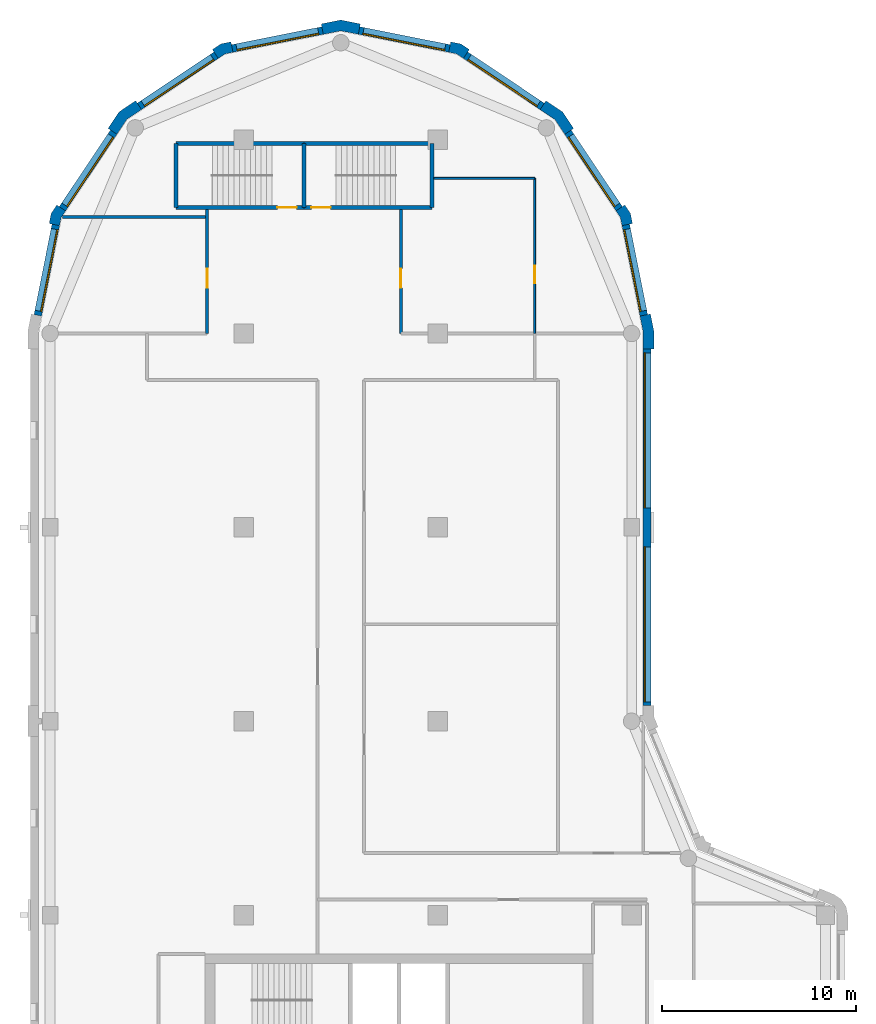
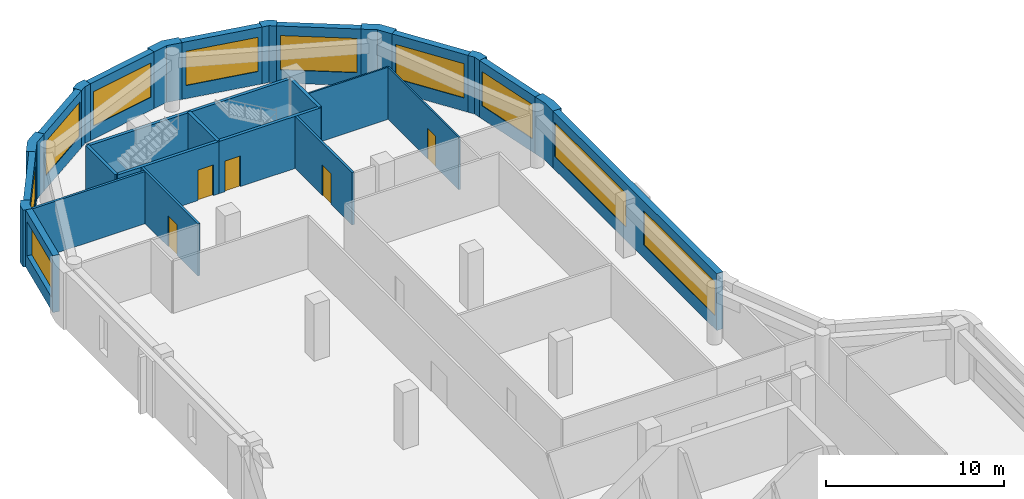
# One storey, part 5 of 8: 29 walls, 10 windows, 5 doors, 15 openings.
"""IFC4 building model written with IfcOpenShell, lengths in metres."""

from ifc_helpers import new_model, si_unit, direction, frame, frame_2d, origin, place, context, subcontext, project, spatial, polyline, rectangle, outline, extrude, material, layer, layer_set, type_object, element, fill, save


model = new_model("IFC4")

# Units and contexts
model_context = context("Model", 3, precision=1e-05, world=origin(), true_north=direction((0.0, 1.0)))
body_context = subcontext(model_context, "Body", "Model", "MODEL_VIEW")
ifc_project = project(units=[si_unit("LENGTHUNIT", "METRE"), si_unit("AREAUNIT", "SQUARE_METRE"), si_unit("VOLUMEUNIT", "CUBIC_METRE"), si_unit("PLANEANGLEUNIT", "RADIAN"), si_unit("MASSUNIT", "GRAM", prefix="KILO")], contexts=[model_context])

# Site, building, storey
site_placement = place(None, origin())
site = spatial("IfcSite", under=ifc_project, at=site_placement, CompositionType="ELEMENT")
building_placement = place(site_placement, origin())
building = spatial("IfcBuilding", under=site, at=building_placement, Name="Qaws Garden Tower", CompositionType="ELEMENT")
storey_placement = place(building_placement, frame((0.0, 0.0, 341.10009765625)))
storey = spatial("IfcBuildingStorey", under=building, at=storey_placement, Name="L83", CompositionType="ELEMENT", Elevation=341.10009765625)

# Wall, openings, windows
ifc_material_1 = material(Name="Clay facing brick masonry", Category="masonry")
ifc_layer_1 = layer(ifc_material_1, 0.39990234375)
ifc_layer_set_1 = layer_set([ifc_layer_1], Name="Clay facing brick masonry")
wall_type_1 = type_object("IfcWallType", Name="Brick infill wall 400", PredefinedType="SOLIDWALL", material=ifc_layer_set_1)
wall_1_placement = place(storey_placement, frame((30.800048828125, 40.800048828125, 0.0), z_axis=(0.0, 0.0, 1.0), x_axis=(0.0, 1.0, 0.0)))
wall_1 = element("IfcWall", 1, at=wall_1_placement, inside=storey, type_object=wall_type_1, Name="E-L83-infill-07", PredefinedType="SOLIDWALL", context=body_context, shape_type="SweptSolid", body=[
    extrude(rectangle(XDim=18.39990234375, YDim=0.39990234375, at=frame_2d((9.199951171875, 0.0))), origin(), (0.0, 0.0, 1.0), 3.89990234375),
])
opening_1_placement = place(wall_1_placement, frame((0.199951171875, 0.0, 0.89990234375)))
opening_1 = element("IfcOpeningElement", 2, at=opening_1_placement, cuts=wall_1, Name="Opening W01", PredefinedType="OPENING", context=body_context, shape_type="SweptSolid", body=[
    extrude(rectangle(XDim=8.0, YDim=2.35009765625, at=frame_2d((4.0, 1.175048828125))), frame((0.0, 0.2099609375, 0.0), z_axis=(0.0, -1.0, 0.0), x_axis=(1.0, 0.0, 0.0)), (0.0, 0.0, 1.0), 0.419921875),
])
opening_2_placement = place(wall_1_placement, frame((10.199951171875, 0.0, 0.89990234375)))
opening_2 = element("IfcOpeningElement", 3, at=opening_2_placement, cuts=wall_1, Name="Opening W01", PredefinedType="OPENING", context=body_context, shape_type="SweptSolid", body=[
    extrude(rectangle(XDim=8.0, YDim=2.35009765625, at=frame_2d((4.0, 1.175048828125))), frame((0.0, 0.2099609375, 0.0), z_axis=(0.0, -1.0, 0.0), x_axis=(1.0, 0.0, 0.0)), (0.0, 0.0, 1.0), 0.419921875),
])
ifc_material_2 = material(Name="Aluminium framed window, clear glazing", Category="aluminium")
window_type_1 = type_object("IfcWindowType", Name="Ribbon window 8000 x 2350", PartitioningType="DOUBLE_PANEL_VERTICAL", PredefinedType="WINDOW", material=ifc_material_2)
window_1_placement = place(opening_1_placement, origin())
window_1 = element("IfcWindow", 4, at=window_1_placement, inside=storey, type_object=window_type_1, Name="E-L83-window-07-0", OverallHeight=2.35009765625, OverallWidth=8.0, PartitioningType="SINGLE_PANEL", PredefinedType="WINDOW", context=body_context, shape_type="SweptSolid", body=[
    extrude(rectangle(XDim=8.0, YDim=2.35009765625, at=frame_2d((4.0, 1.175048828125))), frame((0.0, 0.159912109375, 0.0), z_axis=(0.0, -1.0, 0.0), x_axis=(1.0, 0.0, 0.0)), (0.0, 0.0, 1.0), 0.06005859375),
])
fill(opening_1, window_1)
window_2_placement = place(opening_2_placement, origin())
window_2 = element("IfcWindow", 5, at=window_2_placement, inside=storey, type_object=window_type_1, Name="E-L83-window-08-0", OverallHeight=2.35009765625, OverallWidth=8.0, PartitioningType="SINGLE_PANEL", PredefinedType="WINDOW", context=body_context, shape_type="SweptSolid", body=[
    extrude(rectangle(XDim=8.0, YDim=2.35009765625, at=frame_2d((4.0, 1.175048828125))), frame((0.0, 0.159912109375, 0.0), z_axis=(0.0, -1.0, 0.0), x_axis=(1.0, 0.0, 0.0)), (0.0, 0.0, 1.0), 0.06005859375),
])
fill(opening_2, window_2)

# Wall, opening, window
wall_2_placement = place(storey_placement, frame((30.628662109375, 60.940673828125, 0.0), z_axis=(0.0, 0.0, 1.0), x_axis=(-0.195098533057, 0.98078364709, 0.0)))
wall_2 = element("IfcWall", 6, at=wall_2_placement, inside=storey, type_object=wall_type_1, Name="E-L83-infill-09", PredefinedType="SOLIDWALL", context=body_context, shape_type="SweptSolid", body=[
    extrude(rectangle(XDim=4.752685546875, YDim=0.39990234375, at=frame_2d((2.37646484375, 0.0))), origin(), (0.0, 0.0, 1.0), 3.89990234375),
])
opening_3_placement = place(wall_2_placement, frame((0.226318359375, 0.0, 0.89990234375)))
opening_3 = element("IfcOpeningElement", 7, at=opening_3_placement, cuts=wall_2, Name="Opening W06", PredefinedType="OPENING", context=body_context, shape_type="SweptSolid", body=[
    extrude(rectangle(XDim=4.300048828125, YDim=2.35009765625, at=frame_2d((2.14990234375, 1.175048828125))), frame((0.0, 0.2099609375, 0.0), z_axis=(0.0, -1.0, 0.0), x_axis=(1.0, 0.0, 0.0)), (0.0, 0.0, 1.0), 0.419921875),
])
ifc_material_3 = material(Name="Aluminium framed window, clear glazing", Category="aluminium")
window_type_2 = type_object("IfcWindowType", Name="Ribbon window 4300 x 2350", PartitioningType="DOUBLE_PANEL_VERTICAL", PredefinedType="WINDOW", material=ifc_material_3)
window_3_placement = place(opening_3_placement, origin())
window_3 = element("IfcWindow", 8, at=window_3_placement, inside=storey, type_object=window_type_2, Name="E-L83-window-09-0", OverallHeight=2.35009765625, OverallWidth=4.300048828125, PartitioningType="SINGLE_PANEL", PredefinedType="WINDOW", context=body_context, shape_type="SweptSolid", body=[
    extrude(rectangle(XDim=4.300048828125, YDim=2.35009765625, at=frame_2d((2.14990234375, 1.175048828125))), frame((0.0, 0.159912109375, 0.0), z_axis=(0.0, -1.0, 0.0), x_axis=(1.0, 0.0, 0.0)), (0.0, 0.0, 1.0), 0.06005859375),
])
fill(opening_3, window_3)

wall_3_placement = place(storey_placement, frame((29.356689453125, 66.43408203125, 0.0), z_axis=(0.0, 0.0, 1.0), x_axis=(-0.555541552266, 0.831488775454, 0.0)))
wall_3 = element("IfcWall", 9, at=wall_3_placement, inside=storey, type_object=wall_type_1, Name="E-L83-infill-10", PredefinedType="SOLIDWALL", context=body_context, shape_type="SweptSolid", body=[
    extrude(rectangle(XDim=4.752685546875, YDim=0.39990234375, at=frame_2d((2.37646484375, 0.0))), origin(), (0.0, 0.0, 1.0), 3.89990234375),
])
opening_4_placement = place(wall_3_placement, frame((0.226318359375, 0.0, 0.89990234375)))
opening_4 = element("IfcOpeningElement", 10, at=opening_4_placement, cuts=wall_3, Name="Opening W06", PredefinedType="OPENING", context=body_context, shape_type="SweptSolid", body=[
    extrude(rectangle(XDim=4.300048828125, YDim=2.35009765625, at=frame_2d((2.14990234375, 1.175048828125))), frame((0.0, 0.2099609375, 0.0), z_axis=(0.0, -1.0, 0.0), x_axis=(1.0, 0.0, 0.0)), (0.0, 0.0, 1.0), 0.419921875),
])
window_4_placement = place(opening_4_placement, origin())
window_4 = element("IfcWindow", 11, at=window_4_placement, inside=storey, type_object=window_type_2, Name="E-L83-window-10-0", OverallHeight=2.35009765625, OverallWidth=4.300048828125, PartitioningType="SINGLE_PANEL", PredefinedType="WINDOW", context=body_context, shape_type="SweptSolid", body=[
    extrude(rectangle(XDim=4.300048828125, YDim=2.35009765625, at=frame_2d((2.14990234375, 1.175048828125))), frame((0.0, 0.159912109375, 0.0), z_axis=(0.0, -1.0, 0.0), x_axis=(1.0, 0.0, 0.0)), (0.0, 0.0, 1.0), 0.06005859375),
])
fill(opening_4, window_4)

wall_4_placement = place(storey_placement, frame((25.385986328125, 71.71630859375, 0.0), z_axis=(0.0, 0.0, 1.0), x_axis=(-0.831488775454, 0.555541552266, 0.0)))
wall_4 = element("IfcWall", 12, at=wall_4_placement, inside=storey, type_object=wall_type_1, Name="E-L83-infill-11", PredefinedType="SOLIDWALL", context=body_context, shape_type="SweptSolid", body=[
    extrude(rectangle(XDim=4.752685546875, YDim=0.39990234375, at=frame_2d((2.37646484375, 0.0))), origin(), (0.0, 0.0, 1.0), 3.89990234375),
])
opening_5_placement = place(wall_4_placement, frame((0.226318359375, 0.0, 0.89990234375)))
opening_5 = element("IfcOpeningElement", 13, at=opening_5_placement, cuts=wall_4, Name="Opening W06", PredefinedType="OPENING", context=body_context, shape_type="SweptSolid", body=[
    extrude(rectangle(XDim=4.300048828125, YDim=2.35009765625, at=frame_2d((2.14990234375, 1.175048828125))), frame((0.0, 0.2099609375, 0.0), z_axis=(0.0, -1.0, 0.0), x_axis=(1.0, 0.0, 0.0)), (0.0, 0.0, 1.0), 0.419921875),
])
window_5_placement = place(opening_5_placement, origin())
window_5 = element("IfcWindow", 14, at=window_5_placement, inside=storey, type_object=window_type_2, Name="E-L83-window-11-0", OverallHeight=2.35009765625, OverallWidth=4.300048828125, PartitioningType="SINGLE_PANEL", PredefinedType="WINDOW", context=body_context, shape_type="SweptSolid", body=[
    extrude(rectangle(XDim=4.300048828125, YDim=2.35009765625, at=frame_2d((2.14990234375, 1.175048828125))), frame((0.0, 0.159912109375, 0.0), z_axis=(0.0, -1.0, 0.0), x_axis=(1.0, 0.0, 0.0)), (0.0, 0.0, 1.0), 0.06005859375),
])
fill(opening_5, window_5)

wall_5_placement = place(storey_placement, frame((20.60205078125, 74.701416015625, 0.0), z_axis=(0.0, 0.0, 1.0), x_axis=(-0.98078364709, 0.195098533057, 0.0)))
wall_5 = element("IfcWall", 15, at=wall_5_placement, inside=storey, type_object=wall_type_1, Name="E-L83-infill-12", PredefinedType="SOLIDWALL", context=body_context, shape_type="SweptSolid", body=[
    extrude(rectangle(XDim=4.752685546875, YDim=0.39990234375, at=frame_2d((2.37646484375, 0.0))), origin(), (0.0, 0.0, 1.0), 3.89990234375),
])
opening_6_placement = place(wall_5_placement, frame((0.226318359375, 0.0, 0.89990234375)))
opening_6 = element("IfcOpeningElement", 16, at=opening_6_placement, cuts=wall_5, Name="Opening W06", PredefinedType="OPENING", context=body_context, shape_type="SweptSolid", body=[
    extrude(rectangle(XDim=4.300048828125, YDim=2.35009765625, at=frame_2d((2.14990234375, 1.175048828125))), frame((0.0, 0.2099609375, 0.0), z_axis=(0.0, -1.0, 0.0), x_axis=(1.0, 0.0, 0.0)), (0.0, 0.0, 1.0), 0.419921875),
])
window_6_placement = place(opening_6_placement, origin())
window_6 = element("IfcWindow", 17, at=window_6_placement, inside=storey, type_object=window_type_2, Name="E-L83-window-12-0", OverallHeight=2.35009765625, OverallWidth=4.300048828125, PartitioningType="SINGLE_PANEL", PredefinedType="WINDOW", context=body_context, shape_type="SweptSolid", body=[
    extrude(rectangle(XDim=4.300048828125, YDim=2.35009765625, at=frame_2d((2.14990234375, 1.175048828125))), frame((0.0, 0.159912109375, 0.0), z_axis=(0.0, -1.0, 0.0), x_axis=(1.0, 0.0, 0.0)), (0.0, 0.0, 1.0), 0.06005859375),
])
fill(opening_6, window_6)

wall_6_placement = place(storey_placement, frame((14.059326171875, 75.628662109375, 0.0), z_axis=(0.0, 0.0, 1.0), x_axis=(-0.98078364709, -0.195098533057, 0.0)))
wall_6 = element("IfcWall", 18, at=wall_6_placement, inside=storey, type_object=wall_type_1, Name="E-L83-infill-13", PredefinedType="SOLIDWALL", context=body_context, shape_type="SweptSolid", body=[
    extrude(rectangle(XDim=4.752685546875, YDim=0.39990234375, at=frame_2d((2.37646484375, 0.0))), origin(), (0.0, 0.0, 1.0), 3.89990234375),
])
opening_7_placement = place(wall_6_placement, frame((0.226318359375, 0.0, 0.89990234375)))
opening_7 = element("IfcOpeningElement", 19, at=opening_7_placement, cuts=wall_6, Name="Opening W06", PredefinedType="OPENING", context=body_context, shape_type="SweptSolid", body=[
    extrude(rectangle(XDim=4.300048828125, YDim=2.35009765625, at=frame_2d((2.14990234375, 1.175048828125))), frame((0.0, 0.2099609375, 0.0), z_axis=(0.0, -1.0, 0.0), x_axis=(1.0, 0.0, 0.0)), (0.0, 0.0, 1.0), 0.419921875),
])
window_7_placement = place(opening_7_placement, origin())
window_7 = element("IfcWindow", 20, at=window_7_placement, inside=storey, type_object=window_type_2, Name="E-L83-window-13-0", OverallHeight=2.35009765625, OverallWidth=4.300048828125, PartitioningType="SINGLE_PANEL", PredefinedType="WINDOW", context=body_context, shape_type="SweptSolid", body=[
    extrude(rectangle(XDim=4.300048828125, YDim=2.35009765625, at=frame_2d((2.14990234375, 1.175048828125))), frame((0.0, 0.159912109375, 0.0), z_axis=(0.0, -1.0, 0.0), x_axis=(1.0, 0.0, 0.0)), (0.0, 0.0, 1.0), 0.06005859375),
])
fill(opening_7, window_7)

wall_7_placement = place(storey_placement, frame((8.56591796875, 74.356689453125, 0.0), z_axis=(0.0, 0.0, 1.0), x_axis=(-0.831488775454, -0.555541552266, 0.0)))
wall_7 = element("IfcWall", 21, at=wall_7_placement, inside=storey, type_object=wall_type_1, Name="E-L83-infill-14", PredefinedType="SOLIDWALL", context=body_context, shape_type="SweptSolid", body=[
    extrude(rectangle(XDim=4.752685546875, YDim=0.39990234375, at=frame_2d((2.37646484375, 0.0))), origin(), (0.0, 0.0, 1.0), 3.89990234375),
])
opening_8_placement = place(wall_7_placement, frame((0.226318359375, 0.0, 0.89990234375)))
opening_8 = element("IfcOpeningElement", 22, at=opening_8_placement, cuts=wall_7, Name="Opening W06", PredefinedType="OPENING", context=body_context, shape_type="SweptSolid", body=[
    extrude(rectangle(XDim=4.300048828125, YDim=2.35009765625, at=frame_2d((2.14990234375, 1.175048828125))), frame((0.0, 0.2099609375, 0.0), z_axis=(0.0, -1.0, 0.0), x_axis=(1.0, 0.0, 0.0)), (0.0, 0.0, 1.0), 0.419921875),
])
window_8_placement = place(opening_8_placement, origin())
window_8 = element("IfcWindow", 23, at=window_8_placement, inside=storey, type_object=window_type_2, Name="E-L83-window-14-0", OverallHeight=2.35009765625, OverallWidth=4.300048828125, PartitioningType="SINGLE_PANEL", PredefinedType="WINDOW", context=body_context, shape_type="SweptSolid", body=[
    extrude(rectangle(XDim=4.300048828125, YDim=2.35009765625, at=frame_2d((2.14990234375, 1.175048828125))), frame((0.0, 0.159912109375, 0.0), z_axis=(0.0, -1.0, 0.0), x_axis=(1.0, 0.0, 0.0)), (0.0, 0.0, 1.0), 0.06005859375),
])
fill(opening_8, window_8)

wall_8_placement = place(storey_placement, frame((3.28369140625, 70.385986328125, 0.0), z_axis=(0.0, 0.0, 1.0), x_axis=(-0.555541552266, -0.831488775454, 0.0)))
wall_8 = element("IfcWall", 24, at=wall_8_placement, inside=storey, type_object=wall_type_1, Name="E-L83-infill-15", PredefinedType="SOLIDWALL", context=body_context, shape_type="SweptSolid", body=[
    extrude(rectangle(XDim=4.752685546875, YDim=0.39990234375, at=frame_2d((2.37646484375, 0.0))), origin(), (0.0, 0.0, 1.0), 3.89990234375),
])
opening_9_placement = place(wall_8_placement, frame((0.226318359375, 0.0, 0.89990234375)))
opening_9 = element("IfcOpeningElement", 25, at=opening_9_placement, cuts=wall_8, Name="Opening W06", PredefinedType="OPENING", context=body_context, shape_type="SweptSolid", body=[
    extrude(rectangle(XDim=4.300048828125, YDim=2.35009765625, at=frame_2d((2.14990234375, 1.175048828125))), frame((0.0, 0.2099609375, 0.0), z_axis=(0.0, -1.0, 0.0), x_axis=(1.0, 0.0, 0.0)), (0.0, 0.0, 1.0), 0.419921875),
])
window_9_placement = place(opening_9_placement, origin())
window_9 = element("IfcWindow", 26, at=window_9_placement, inside=storey, type_object=window_type_2, Name="E-L83-window-15-0", OverallHeight=2.35009765625, OverallWidth=4.300048828125, PartitioningType="SINGLE_PANEL", PredefinedType="WINDOW", context=body_context, shape_type="SweptSolid", body=[
    extrude(rectangle(XDim=4.300048828125, YDim=2.35009765625, at=frame_2d((2.14990234375, 1.175048828125))), frame((0.0, 0.159912109375, 0.0), z_axis=(0.0, -1.0, 0.0), x_axis=(1.0, 0.0, 0.0)), (0.0, 0.0, 1.0), 0.06005859375),
])
fill(opening_9, window_9)

wall_9_placement = place(storey_placement, frame((0.298583984375, 65.60205078125, 0.0), z_axis=(0.0, 0.0, 1.0), x_axis=(-0.195098533057, -0.98078364709, 0.0)))
wall_9 = element("IfcWall", 27, at=wall_9_placement, inside=storey, type_object=wall_type_1, Name="E-L83-infill-16", PredefinedType="SOLIDWALL", context=body_context, shape_type="SweptSolid", body=[
    extrude(rectangle(XDim=4.752685546875, YDim=0.39990234375, at=frame_2d((2.37646484375, 0.0))), origin(), (0.0, 0.0, 1.0), 3.89990234375),
])
opening_10_placement = place(wall_9_placement, frame((0.226318359375, 0.0, 0.89990234375)))
opening_10 = element("IfcOpeningElement", 28, at=opening_10_placement, cuts=wall_9, Name="Opening W06", PredefinedType="OPENING", context=body_context, shape_type="SweptSolid", body=[
    extrude(rectangle(XDim=4.300048828125, YDim=2.35009765625, at=frame_2d((2.14990234375, 1.175048828125))), frame((0.0, 0.2099609375, 0.0), z_axis=(0.0, -1.0, 0.0), x_axis=(1.0, 0.0, 0.0)), (0.0, 0.0, 1.0), 0.419921875),
])
window_10_placement = place(opening_10_placement, origin())
window_10 = element("IfcWindow", 29, at=window_10_placement, inside=storey, type_object=window_type_2, Name="E-L83-window-16-0", OverallHeight=2.35009765625, OverallWidth=4.300048828125, PartitioningType="SINGLE_PANEL", PredefinedType="WINDOW", context=body_context, shape_type="SweptSolid", body=[
    extrude(rectangle(XDim=4.300048828125, YDim=2.35009765625, at=frame_2d((2.14990234375, 1.175048828125))), frame((0.0, 0.159912109375, 0.0), z_axis=(0.0, -1.0, 0.0), x_axis=(1.0, 0.0, 0.0)), (0.0, 0.0, 1.0), 0.06005859375),
])
fill(opening_10, window_10)

# Walls
ifc_material_4 = material(Name="Clay facing brick masonry", Category="masonry")
ifc_layer_2 = layer(ifc_material_4, 0.550048828125)
ifc_layer_set_2 = layer_set([ifc_layer_2], Name="Clay facing brick masonry")
wall_type_2 = type_object("IfcWallType", Name="Brick kink pier 550 x 600", PredefinedType="SOLIDWALL", material=ifc_layer_set_2)
placement = place(storey_placement, origin())
element("IfcWall", 30, at=placement, inside=storey, type_object=wall_type_2, Name="E-L83-pier-10", PredefinedType="SOLIDWALL", context=body_context, shape_type="SweptSolid", body=[
    extrude(outline(polyline([(29.8974609375, 65.64111328125), (30.044677734375, 65.67041015625), (29.94140625, 66.18896484375), (29.647705078125, 66.628662109375), (29.52294921875, 66.545166015625), (29.1904296875, 66.322998046875), (29.42333984375, 65.974365234375), (29.505126953125, 65.56298828125), (29.8974609375, 65.64111328125)])), origin(), (0.0, 0.0, 1.0), 3.89990234375),
])
element("IfcWall", 31, at=placement, inside=storey, type_object=wall_type_2, Name="E-L83-pier-12", PredefinedType="SOLIDWALL", context=body_context, shape_type="SweptSolid", body=[
    extrude(outline(polyline([(21.545166015625, 74.52294921875), (21.628662109375, 74.647705078125), (21.18896484375, 74.94140625), (20.67041015625, 75.044677734375), (20.64111328125, 74.8974609375), (20.56298828125, 74.505126953125), (20.974365234375, 74.42333984375), (21.322998046875, 74.1904296875), (21.545166015625, 74.52294921875)])), origin(), (0.0, 0.0, 1.0), 3.89990234375),
])
element("IfcWall", 32, at=placement, inside=storey, type_object=wall_type_2, Name="E-L83-pier-14", PredefinedType="SOLIDWALL", context=body_context, shape_type="SweptSolid", body=[
    extrude(outline(polyline([(9.35888671875, 74.8974609375), (9.32958984375, 75.044677734375), (8.81103515625, 74.94140625), (8.371337890625, 74.647705078125), (8.454833984375, 74.52294921875), (8.677001953125, 74.1904296875), (9.025634765625, 74.42333984375), (9.43701171875, 74.505126953125), (9.35888671875, 74.8974609375)])), origin(), (0.0, 0.0, 1.0), 3.89990234375),
])
element("IfcWall", 33, at=placement, inside=storey, type_object=wall_type_2, Name="E-L83-pier-16", PredefinedType="SOLIDWALL", context=body_context, shape_type="SweptSolid", body=[
    extrude(outline(polyline([(0.47705078125, 66.545166015625), (0.352294921875, 66.628662109375), (0.05859375, 66.18896484375), (-0.044677734375, 65.67041015625), (0.1025390625, 65.64111328125), (0.494873046875, 65.56298828125), (0.57666015625, 65.974365234375), (0.8095703125, 66.322998046875), (0.47705078125, 66.545166015625)])), origin(), (0.0, 0.0, 1.0), 3.89990234375),
])
ifc_material_5 = material(Name="Clay facing brick masonry", Category="masonry")
ifc_layer_3 = layer(ifc_material_5, 0.550048828125)
ifc_layer_set_3 = layer_set([ifc_layer_3], Name="Clay facing brick masonry")
wall_type_3 = type_object("IfcWallType", Name="Brick pier 550 x 1600", PredefinedType="SOLIDWALL", material=ifc_layer_set_3)
element("IfcWall", 34, at=placement, inside=storey, type_object=wall_type_3, Name="E-L83-pier-09", PredefinedType="SOLIDWALL", context=body_context, shape_type="SweptSolid", body=[
    extrude(outline(polyline([(31.0, 59.199951171875), (31.14990234375, 59.199951171875), (31.14990234375, 60.11328125), (30.971923828125, 61.009033203125), (30.82470703125, 60.979736328125), (30.432373046875, 60.901611328125), (30.60009765625, 60.05908203125), (30.60009765625, 59.199951171875), (31.0, 59.199951171875)])), origin(), (0.0, 0.0, 1.0), 3.89990234375),
])
element("IfcWall", 35, at=placement, inside=storey, type_object=wall_type_3, Name="E-L83-pier-11", PredefinedType="SOLIDWALL", context=body_context, shape_type="SweptSolid", body=[
    extrude(outline(polyline([(26.882568359375, 70.4970703125), (27.00732421875, 70.580322265625), (26.435791015625, 71.435791015625), (25.580322265625, 72.00732421875), (25.4970703125, 71.882568359375), (25.274658203125, 71.550048828125), (26.0390625, 71.0390625), (26.550048828125, 70.274658203125), (26.882568359375, 70.4970703125)])), origin(), (0.0, 0.0, 1.0), 3.89990234375),
])
element("IfcWall", 36, at=placement, inside=storey, type_object=wall_type_3, Name="E-L83-pier-13", PredefinedType="SOLIDWALL", context=body_context, shape_type="SweptSolid", body=[
    extrude(outline(polyline([(15.979736328125, 75.82470703125), (16.009033203125, 75.971923828125), (15.0, 76.172607421875), (13.990966796875, 75.971923828125), (14.020263671875, 75.82470703125), (14.098388671875, 75.432373046875), (15.0, 75.61181640625), (15.901611328125, 75.432373046875), (15.979736328125, 75.82470703125)])), origin(), (0.0, 0.0, 1.0), 3.89990234375),
])
element("IfcWall", 37, at=placement, inside=storey, type_object=wall_type_3, Name="E-L83-pier-15", PredefinedType="SOLIDWALL", context=body_context, shape_type="SweptSolid", body=[
    extrude(outline(polyline([(4.5029296875, 71.882568359375), (4.419677734375, 72.00732421875), (3.564208984375, 71.435791015625), (2.99267578125, 70.580322265625), (3.117431640625, 70.4970703125), (3.449951171875, 70.274658203125), (3.9609375, 71.0390625), (4.725341796875, 71.550048828125), (4.5029296875, 71.882568359375)])), origin(), (0.0, 0.0, 1.0), 3.89990234375),
])

# Wall, opening, door
ifc_material_6 = material(Name="Concrete C60", Category="concrete")
ifc_layer_4 = layer(ifc_material_6, 0.199951171875)
ifc_layer_set_4 = layer_set([ifc_layer_4], Name="Concrete C60")
wall_type_4 = type_object("IfcWallType", Name="Core shaft wall 200 C60", PredefinedType="SHEAR", material=ifc_layer_set_4)
wall_18_placement = place(storey_placement, frame((6.5, 66.5, 0.0), z_axis=(0.0, 0.0, 1.0), x_axis=(1.0, 0.0, 0.0)))
wall_18 = element("IfcWall", 38, at=wall_18_placement, inside=storey, type_object=wall_type_4, Name="Shaft wall", PredefinedType="SHEAR", context=body_context, shape_type="SweptSolid", body=[
    extrude(rectangle(XDim=6.60009765625, YDim=0.199951171875, at=frame_2d((3.300048828125, 0.0))), origin(), (0.0, 0.0, 1.0), 3.579833984375),
])
opening_11_placement = place(wall_18_placement, frame((5.22509765625, 0.0, 0.0)))
opening_11 = element("IfcOpeningElement", 39, at=opening_11_placement, cuts=wall_18, Name="Opening SD13", PredefinedType="OPENING", context=body_context, shape_type="SweptSolid", body=[
    extrude(rectangle(XDim=1.0, YDim=2.10009765625, at=frame_2d((0.5, 1.050048828125))), frame((0.0, 0.10986328125, 0.0), z_axis=(0.0, -1.0, 0.0), x_axis=(1.0, 0.0, 0.0)), (0.0, 0.0, 1.0), 0.219970703125),
])
ifc_material_7 = material(Name="Steel S235", Category="steel")
door_type_1 = type_object("IfcDoorType", Name="Stair door 1000x2100", OperationType="SINGLE_SWING_RIGHT", PredefinedType="DOOR", material=ifc_material_7)
door_1_placement = place(opening_11_placement, origin())
door_1 = element("IfcDoor", 40, at=door_1_placement, inside=storey, type_object=door_type_1, Name="Stair 6 door", OperationType="SINGLE_SWING_RIGHT", OverallHeight=2.10009765625, OverallWidth=1.0, PredefinedType="DOOR", context=body_context, shape_type="SweptSolid", body=[
    extrude(rectangle(XDim=1.0, YDim=2.10009765625, at=frame_2d((0.5, 1.050048828125))), frame((0.0, 0.02490234375, 0.0), z_axis=(0.0, -1.0, 0.0), x_axis=(1.0, 0.0, 0.0)), (0.0, 0.0, 1.0), 0.050048828125),
])
fill(opening_11, door_1)

wall_19_placement = place(storey_placement, frame((13.10009765625, 66.5, 0.0), z_axis=(0.0, 0.0, 1.0), x_axis=(1.0, 0.0, 0.0)))
wall_19 = element("IfcWall", 41, at=wall_19_placement, inside=storey, type_object=wall_type_4, Name="Shaft wall", PredefinedType="SHEAR", context=body_context, shape_type="SweptSolid", body=[
    extrude(rectangle(XDim=6.599853515625, YDim=0.199951171875, at=frame_2d((3.2998046875, 0.0))), origin(), (0.0, 0.0, 1.0), 3.579833984375),
])
opening_12_placement = place(wall_19_placement, frame((0.375, 0.0, 0.0)))
opening_12 = element("IfcOpeningElement", 42, at=opening_12_placement, cuts=wall_19, Name="Opening SD14", PredefinedType="OPENING", context=body_context, shape_type="SweptSolid", body=[
    extrude(rectangle(XDim=1.0, YDim=2.10009765625, at=frame_2d((0.5, 1.050048828125))), frame((0.0, 0.10986328125, 0.0), z_axis=(0.0, -1.0, 0.0), x_axis=(1.0, 0.0, 0.0)), (0.0, 0.0, 1.0), 0.219970703125),
])
door_2_placement = place(opening_12_placement, origin())
door_2 = element("IfcDoor", 43, at=door_2_placement, inside=storey, type_object=door_type_1, Name="Stair 7 door", OperationType="SINGLE_SWING_LEFT", OverallHeight=2.10009765625, OverallWidth=1.0, PredefinedType="DOOR", context=body_context, shape_type="SweptSolid", body=[
    extrude(rectangle(XDim=1.0, YDim=2.10009765625, at=frame_2d((0.5, 1.050048828125))), frame((0.0, 0.02490234375, 0.0), z_axis=(0.0, -1.0, 0.0), x_axis=(1.0, 0.0, 0.0)), (0.0, 0.0, 1.0), 0.050048828125),
])
fill(opening_12, door_2)

# Walls
wall_20_placement = place(storey_placement, frame((6.5, 69.800048828125, 0.0), z_axis=(0.0, 0.0, 1.0), x_axis=(1.0, 0.0, 0.0)))
element("IfcWall", 44, at=wall_20_placement, inside=storey, type_object=wall_type_4, Name="Shaft wall", PredefinedType="SHEAR", context=body_context, shape_type="SweptSolid", body=[
    extrude(rectangle(XDim=6.60009765625, YDim=0.199951171875, at=frame_2d((3.300048828125, 0.0))), origin(), (0.0, 0.0, 1.0), 3.579833984375),
])
wall_21_placement = place(storey_placement, frame((13.10009765625, 69.800048828125, 0.0), z_axis=(0.0, 0.0, 1.0), x_axis=(1.0, 0.0, 0.0)))
element("IfcWall", 45, at=wall_21_placement, inside=storey, type_object=wall_type_4, Name="Shaft wall", PredefinedType="SHEAR", context=body_context, shape_type="SweptSolid", body=[
    extrude(rectangle(XDim=6.599853515625, YDim=0.199951171875, at=frame_2d((3.2998046875, 0.0))), origin(), (0.0, 0.0, 1.0), 3.579833984375),
])
for number, where, z_axis, x_axis, name in (
    (46, (6.5, 66.5, 0.0), (0.0, 0.0, 1.0), (0.0, 1.0, 0.0), "Shaft wall"),
    (47, (13.10009765625, 66.5, 0.0), (0.0, 0.0, 1.0), (0.0, 1.0, 0.0), "Shaft wall"),
    (48, (19.699951171875, 66.5, 0.0), (0.0, 0.0, 1.0), (0.0, 1.0, 0.0), "Shaft wall"),
):
    element("IfcWall", number, at=place(storey_placement, frame(where, z_axis=z_axis, x_axis=x_axis)), inside=storey, type_object=wall_type_4, Name=name, PredefinedType="SHEAR", context=body_context, shape_type="SweptSolid", body=[
        extrude(rectangle(XDim=3.300048828125, YDim=0.199951171875, at=frame_2d((1.64990234375, 0.0))), origin(), (0.0, 0.0, 1.0), 3.579833984375),
    ])

# Wall, opening, door
ifc_material_8 = material(Name="Gypsum board partition")
ifc_layer_5 = layer(ifc_material_8, 0.10009765625)
ifc_layer_set_5 = layer_set([ifc_layer_5], Name="Gypsum board partition")
wall_type_5 = type_object("IfcWallType", Name="PARTITION 100", PredefinedType="PARTITIONING", material=ifc_layer_set_5)
wall_22_placement = place(storey_placement, frame((25.0, 60.0, 0.0), z_axis=(0.0, 0.0, 1.0), x_axis=(0.0, 1.0, 0.0)))
wall_22 = element("IfcWall", 49, at=wall_22_placement, inside=storey, type_object=wall_type_5, Name="O-L83-wall-001", PredefinedType="PARTITIONING", context=body_context, shape_type="SweptSolid", body=[
    extrude(rectangle(XDim=8.0, YDim=0.10009765625, at=frame_2d((4.0, 0.0))), origin(), (0.0, 0.0, 1.0), 3.579833984375),
])
opening_13_placement = place(wall_22_placement, frame((2.60009765625, 0.0, 0.0)))
opening_13 = element("IfcOpeningElement", 50, at=opening_13_placement, cuts=wall_22, Name="Opening C1014", PredefinedType="OPENING", context=body_context, shape_type="SweptSolid", body=[
    extrude(rectangle(XDim=0.89990234375, YDim=2.10009765625, at=frame_2d((0.449951171875, 1.050048828125))), frame((0.0, 0.06005859375, 0.0), z_axis=(0.0, -1.0, 0.0), x_axis=(1.0, 0.0, 0.0)), (0.0, 0.0, 1.0), 0.1201171875),
])
ifc_material_9 = material(Name="Timber door leaf", Category="wood")
door_type_2 = type_object("IfcDoorType", Name="OFFICE DOOR 900 X 2100", OperationType="SINGLE_SWING_LEFT", PredefinedType="DOOR", material=ifc_material_9)
door_3_placement = place(opening_13_placement, origin())
door_3 = element("IfcDoor", 51, at=door_3_placement, inside=storey, type_object=door_type_2, Name="O-L83-door-014", OperationType="SINGLE_SWING_LEFT", OverallHeight=2.10009765625, OverallWidth=0.89990234375, PredefinedType="DOOR", context=body_context, shape_type="SweptSolid", body=[
    extrude(rectangle(XDim=0.89990234375, YDim=2.10009765625, at=frame_2d((0.449951171875, 1.050048828125))), frame((0.0, 0.02490234375, 0.0), z_axis=(0.0, -1.0, 0.0), x_axis=(1.0, 0.0, 0.0)), (0.0, 0.0, 1.0), 0.050048828125),
])
fill(opening_13, door_3)

# Wall
wall_23_placement = place(storey_placement, frame((19.800048828125, 68.0, 0.0), z_axis=(0.0, 0.0, 1.0), x_axis=(1.0, 0.0, 0.0)))
element("IfcWall", 52, at=wall_23_placement, inside=storey, type_object=wall_type_5, Name="O-L83-wall-002", PredefinedType="PARTITIONING", context=body_context, shape_type="SweptSolid", body=[
    extrude(rectangle(XDim=5.199951171875, YDim=0.10009765625, at=frame_2d((2.60009765625, 0.0))), origin(), (0.0, 0.0, 1.0), 3.579833984375),
])

# Wall, opening, door
ifc_material_10 = material(Name="Gypsum board partition")
ifc_layer_6 = layer(ifc_material_10, 0.14990234375)
ifc_layer_set_6 = layer_set([ifc_layer_6], Name="Gypsum board partition")
wall_type_6 = type_object("IfcWallType", Name="PARTITION 150 EI 60", PredefinedType="PARTITIONING", material=ifc_layer_set_6)
wall_24_placement = place(storey_placement, frame((8.10009765625, 60.0, 0.0), z_axis=(0.0, 0.0, 1.0), x_axis=(0.0, 1.0, 0.0)))
wall_24 = element("IfcWall", 53, at=wall_24_placement, inside=storey, type_object=wall_type_6, Name="O-L83-wall-005", PredefinedType="PARTITIONING", context=body_context, shape_type="SweptSolid", body=[
    extrude(rectangle(XDim=6.39990234375, YDim=0.14990234375, at=frame_2d((3.199951171875, 0.0))), origin(), (0.0, 0.0, 1.0), 3.579833984375),
])
opening_14_placement = place(wall_24_placement, frame((2.35009765625, 0.0, 0.0)))
opening_14 = element("IfcOpeningElement", 54, at=opening_14_placement, cuts=wall_24, Name="Opening C1013", PredefinedType="OPENING", context=body_context, shape_type="SweptSolid", body=[
    extrude(rectangle(XDim=1.0, YDim=2.10009765625, at=frame_2d((0.5, 1.050048828125))), frame((0.0, 0.0849609375, 0.0), z_axis=(0.0, -1.0, 0.0), x_axis=(1.0, 0.0, 0.0)), (0.0, 0.0, 1.0), 0.169921875),
])
ifc_material_11 = material(Name="Timber door leaf", Category="wood")
door_type_3 = type_object("IfcDoorType", Name="TENANCY ENTRANCE DOOR 1000 X 2100", OperationType="SINGLE_SWING_LEFT", PredefinedType="DOOR", material=ifc_material_11)
door_4_placement = place(opening_14_placement, origin())
door_4 = element("IfcDoor", 55, at=door_4_placement, inside=storey, type_object=door_type_3, Name="O-L83-door-013", OperationType="SINGLE_SWING_LEFT", OverallHeight=2.10009765625, OverallWidth=1.0, PredefinedType="DOOR", context=body_context, shape_type="SweptSolid", body=[
    extrude(rectangle(XDim=1.0, YDim=2.10009765625, at=frame_2d((0.5, 1.050048828125))), frame((0.0, 0.02490234375, 0.0), z_axis=(0.0, -1.0, 0.0), x_axis=(1.0, 0.0, 0.0)), (0.0, 0.0, 1.0), 0.050048828125),
])
fill(opening_14, door_4)

wall_25_placement = place(storey_placement, frame((18.10009765625, 60.0, 0.0), z_axis=(0.0, 0.0, 1.0), x_axis=(0.0, 1.0, 0.0)))
wall_25 = element("IfcWall", 56, at=wall_25_placement, inside=storey, type_object=wall_type_6, Name="O-L83-wall-008", PredefinedType="PARTITIONING", context=body_context, shape_type="SweptSolid", body=[
    extrude(rectangle(XDim=6.39990234375, YDim=0.14990234375, at=frame_2d((3.199951171875, 0.0))), origin(), (0.0, 0.0, 1.0), 3.579833984375),
])
opening_15_placement = place(wall_25_placement, frame((2.35009765625, 0.0, 0.0)))
opening_15 = element("IfcOpeningElement", 57, at=opening_15_placement, cuts=wall_25, Name="Opening C1003", PredefinedType="OPENING", context=body_context, shape_type="SweptSolid", body=[
    extrude(rectangle(XDim=1.0, YDim=2.10009765625, at=frame_2d((0.5, 1.050048828125))), frame((0.0, 0.0849609375, 0.0), z_axis=(0.0, -1.0, 0.0), x_axis=(1.0, 0.0, 0.0)), (0.0, 0.0, 1.0), 0.169921875),
])
door_5_placement = place(opening_15_placement, frame((1.0, 0.0, 0.0), z_axis=(0.0, 0.0, 1.0), x_axis=(-1.0, 0.0, 0.0)))
door_5 = element("IfcDoor", 58, at=door_5_placement, inside=storey, type_object=door_type_3, Name="O-L83-door-003", OperationType="SINGLE_SWING_RIGHT", OverallHeight=2.10009765625, OverallWidth=1.0, PredefinedType="DOOR", context=body_context, shape_type="SweptSolid", body=[
    extrude(rectangle(XDim=1.0, YDim=2.10009765625, at=frame_2d((0.5, 1.050048828125))), frame((0.0, 0.02490234375, 0.0), z_axis=(0.0, -1.0, 0.0), x_axis=(1.0, 0.0, 0.0)), (0.0, 0.0, 1.0), 0.050048828125),
])
fill(opening_15, door_5)

# Wall
wall_26_placement = place(storey_placement, frame((0.643798828125, 66.0, 0.0), z_axis=(0.0, 0.0, 1.0), x_axis=(1.0, 0.0, 0.0)))
element("IfcWall", 59, at=wall_26_placement, inside=storey, type_object=wall_type_6, Name="O-L83-wall-027", PredefinedType="PARTITIONING", context=body_context, shape_type="SweptSolid", body=[
    extrude(rectangle(XDim=7.456298828125, YDim=0.14990234375, at=frame_2d((3.72802734375, 0.0))), origin(), (0.0, 0.0, 1.0), 3.579833984375),
])

save(model, "model.ifc")
